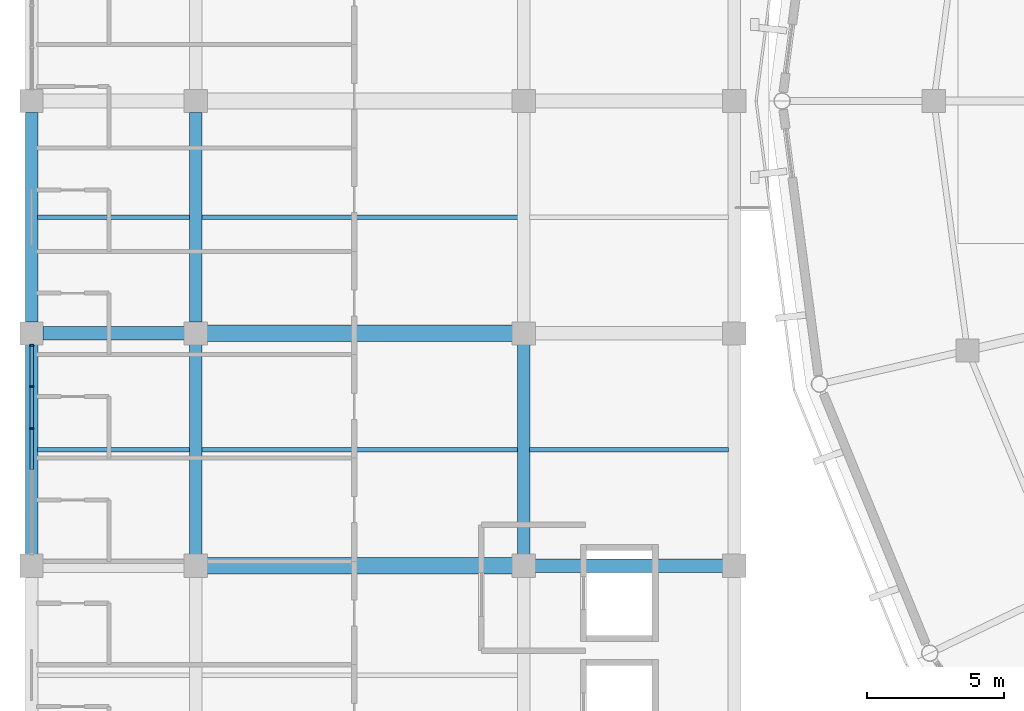
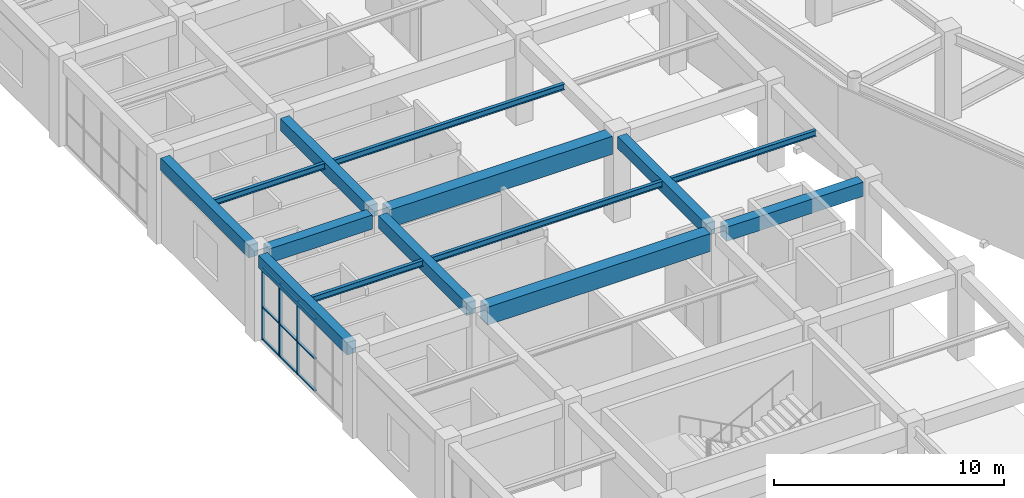
# One storey, part 26 of 122: 14 beams, 12 members, 1 element without a shape of its own.
"""IFC4 building model written with IfcOpenShell, lengths in metres."""

from ifc_helpers import new_model, si_unit, direction, frame, origin, origin_2d, place, context, subcontext, project, spatial, rectangle, i_section, extrude, material, material_profile, profile_set, type_object, element, aggregate, save


model = new_model("IFC4")

# Units and contexts
model_context = context("Model", 3, precision=1e-05, world=origin(), true_north=direction((0.0, 1.0)))
body_context = subcontext(model_context, "Body", "Model", "MODEL_VIEW")
ifc_project = project(units=[si_unit("LENGTHUNIT", "METRE"), si_unit("AREAUNIT", "SQUARE_METRE"), si_unit("VOLUMEUNIT", "CUBIC_METRE"), si_unit("PLANEANGLEUNIT", "RADIAN"), si_unit("MASSUNIT", "GRAM", prefix="KILO")], contexts=[model_context])

# Site, building, storey
site_placement = place(None, origin())
site = spatial("IfcSite", under=ifc_project, at=site_placement, CompositionType="ELEMENT")
building_placement = place(site_placement, origin())
building = spatial("IfcBuilding", under=site, at=building_placement, Name="Cuetzalor Civic Arena", CompositionType="ELEMENT")
storey_placement = place(building_placement, frame((0.0, 0.0, 16.199951171875)))
storey = spatial("IfcBuildingStorey", under=building, at=storey_placement, Name="L03", CompositionType="ELEMENT", Elevation=16.199951171875)

# Beams
ifc_material_1 = material(Name="Concrete C40/50", Category="concrete")
ifc_material_profile_1 = material_profile(ifc_material_1, rectangle(XDim=0.5, YDim=0.75, at=origin_2d()), Name="RC 500x750")
ifc_profile_set_1 = profile_set([ifc_material_profile_1], Name="Concrete C40/50")
beam_type_1 = type_object("IfcBeamType", Name="ConcreteFrameBeam_500x750", PredefinedType="BEAM", material=ifc_profile_set_1)
beam_1_placement = place(storey_placement, frame((-63.5849609375, -17.0, 4.14501953125), z_axis=(1.0, 0.0, 0.0), x_axis=(0.0, 1.0, 0.0)))
element("IfcBeam", 1, at=beam_1_placement, inside=storey, type_object=beam_type_1, Name="Frame Girder V4W-L03-X0897", PredefinedType="BEAM", context=body_context, shape_type="SweptSolid", body=[
    extrude(rectangle(XDim=0.5, YDim=0.75, at=origin_2d()), origin(), (0.0, 0.0, 1.0), 6.869873046875),
])
beam_2_placement = place(storey_placement, frame((-81.5849609375, -8.5, 4.14501953125), z_axis=(1.0, 0.0, 0.0), x_axis=(0.0, 1.0, 0.0)))
element("IfcBeam", 2, at=beam_2_placement, inside=storey, type_object=beam_type_1, Name="Frame Girder V4W-L03-X0898", PredefinedType="BEAM", context=body_context, shape_type="SweptSolid", body=[
    extrude(rectangle(XDim=0.5, YDim=0.75, at=origin_2d()), origin(), (0.0, 0.0, 1.0), 5.169921875),
])
ifc_material_2 = material(Name="Concrete C40/50", Category="concrete")
ifc_material_profile_2 = material_profile(ifc_material_2, rectangle(XDim=0.60009765625, YDim=0.949951171875, at=origin_2d()), Name="RC 600x950")
ifc_profile_set_2 = profile_set([ifc_material_profile_2], Name="Concrete C40/50")
beam_type_2 = type_object("IfcBeamType", Name="ConcreteFrameBeam_600x950", PredefinedType="BEAM", material=ifc_profile_set_2)
for number, where, z_axis, x_axis, name in (
    (3, (-75.5849609375, -17.0, 4.045166015625), (1.0, 0.0, 0.0), (0.0, 1.0, 0.0), "Frame Girder V4W-L03-X0896"),
    (4, (-75.5849609375, -8.5, 4.045166015625), (1.0, 0.0, 0.0), (0.0, 1.0, 0.0), "Frame Girder V4W-L03-X0899"),
):
    element("IfcBeam", number, at=place(storey_placement, frame(where, z_axis=z_axis, x_axis=x_axis)), inside=storey, type_object=beam_type_2, Name=name, PredefinedType="BEAM", context=body_context, shape_type="SweptSolid", body=[
        extrude(rectangle(XDim=0.60009765625, YDim=0.949951171875, at=origin_2d()), origin(), (0.0, 0.0, 1.0), 11.169921875),
    ])
ifc_material_3 = material(Name="Concrete C40/50", Category="concrete")
ifc_material_profile_3 = material_profile(ifc_material_3, rectangle(XDim=0.449951171875, YDim=0.64990234375, at=origin_2d()), Name="RC 450x650")
ifc_profile_set_3 = profile_set([ifc_material_profile_3], Name="Concrete C40/50")
beam_type_3 = type_object("IfcBeamType", Name="ConcreteTieBeam_450x650", PredefinedType="BEAM", material=ifc_profile_set_3)
for number, where, z_axis, x_axis, name in (
    (5, (-82.0, -16.5849609375, 4.195068359375), (0.0, 1.0, 0.0), (-1.0, 0.0, 0.0), "Frame Girder V4W-L03-Y0920"),
    (6, (-82.0, -8.0849609375, 4.195068359375), (0.0, 1.0, 0.0), (-1.0, 0.0, 0.0), "Frame Girder V4W-L03-Y0921"),
    (7, (-76.0, -16.5849609375, 4.195068359375), (0.0, 1.0, 0.0), (-1.0, 0.0, 0.0), "Frame Girder V4W-L03-Y0930"),
    (8, (-76.0, -8.0849609375, 4.195068359375), (0.0, 1.0, 0.0), (-1.0, 0.0, 0.0), "Frame Girder V4W-L03-Y0931"),
    (9, (-64.0, -16.5849609375, 4.195068359375), (0.0, 1.0, 0.0), (-1.0, 0.0, 0.0), "Frame Girder V4W-L03-Y0940"),
):
    element("IfcBeam", number, at=place(storey_placement, frame(where, z_axis=z_axis, x_axis=x_axis)), inside=storey, type_object=beam_type_3, Name=name, PredefinedType="BEAM", context=body_context, shape_type="SweptSolid", body=[
        extrude(rectangle(XDim=0.449951171875, YDim=0.64990234375, at=origin_2d()), origin(), (0.0, 0.0, 1.0), 7.669921875),
    ])

# Curtain wall, members
ifc_material_4 = material(Name="Anodised dark bronze aluminium and low-E solar glass", Category="aluminium")
curtain_wall_type = type_object("IfcCurtainWallType", Name="UnitisedCW_7700x3850", PredefinedType="USERDEFINED", material=ifc_material_4)
curtain_wall_placement = place(storey_placement, origin())
curtain_wall = element("IfcCurtainWall", 10, at=curtain_wall_placement, inside=storey, type_object=curtain_wall_type, Name="V4W Suite Viewing Curtain Wall L03-120", ObjectType="UNITISED CURTAIN WALL", PredefinedType="USERDEFINED")
ifc_material_5 = material(Name="Anodised dark bronze aluminium", Category="aluminium")
ifc_material_profile_4 = material_profile(ifc_material_5, rectangle(XDim=0.06494140625, YDim=0.14990234375, at=origin_2d()), Name="ALU MULLION 65x150")
ifc_profile_set_4 = profile_set([ifc_material_profile_4], Name="Anodised dark bronze aluminium")
member_type_1 = type_object("IfcMemberType", Name="CurtainWallMullion_60x150", PredefinedType="MULLION", material=ifc_profile_set_4)
member_1_placement = place(storey_placement, frame((-82.0, -11.9814453125, 0.0), z_axis=(0.0, 0.0, 1.0), x_axis=(0.0, 1.0, 0.0)))
member_1 = element("IfcMember", 11, at=member_1_placement, type_object=member_type_1, Name="CW-42 mullion 4", PredefinedType="MULLION", context=body_context, shape_type="SweptSolid", body=[
    extrude(rectangle(XDim=0.06494140625, YDim=0.14990234375, at=origin_2d()), origin(), (0.0, 0.0, 1.0), 3.860107421875),
])
member_2_placement = place(storey_placement, frame((-82.0, -10.444091796875, 0.0), z_axis=(0.0, 0.0, 1.0), x_axis=(0.0, 1.0, 0.0)))
member_2 = element("IfcMember", 12, at=member_2_placement, type_object=member_type_1, Name="CW-42 mullion 5", PredefinedType="MULLION", context=body_context, shape_type="SweptSolid", body=[
    extrude(rectangle(XDim=0.06494140625, YDim=0.14990234375, at=origin_2d()), origin(), (0.0, 0.0, 1.0), 3.860107421875),
])
member_3_placement = place(storey_placement, frame((-82.0, -8.939453125, 0.0), z_axis=(0.0, 0.0, 1.0), x_axis=(0.0, 1.0, 0.0)))
member_3 = element("IfcMember", 13, at=member_3_placement, type_object=member_type_1, Name="CW-42 mullion 6", PredefinedType="MULLION", context=body_context, shape_type="SweptSolid", body=[
    extrude(rectangle(XDim=0.06494140625, YDim=0.14990234375, at=origin_2d()), origin(), (0.0, 0.0, 1.0), 3.860107421875),
])
ifc_material_6 = material(Name="Anodised dark bronze aluminium", Category="aluminium")
ifc_material_profile_5 = material_profile(ifc_material_6, rectangle(XDim=0.1201171875, YDim=0.06494140625, at=origin_2d()), Name="ALU TRANSOM 65x120")
ifc_profile_set_5 = profile_set([ifc_material_profile_5], Name="Anodised dark bronze aluminium")
member_type_2 = type_object("IfcMemberType", Name="CurtainWallTransom_60x120", PredefinedType="USERDEFINED", material=ifc_profile_set_5)
member_4_placement = place(storey_placement, frame((-82.0, -13.486083984375, 0.032470703125), z_axis=(0.0, 1.0, 0.0), x_axis=(-1.0, 0.0, 0.0)))
member_4 = element("IfcMember", 14, at=member_4_placement, type_object=member_type_2, Name="CW-42 transom 3.1", ObjectType="TRANSOM", PredefinedType="USERDEFINED", context=body_context, shape_type="SweptSolid", body=[
    extrude(rectangle(XDim=0.1201171875, YDim=0.06494140625, at=origin_2d()), origin(), (0.0, 0.0, 1.0), 1.47216796875),
])
member_5_placement = place(storey_placement, frame((-82.0, -13.486083984375, 1.737060546875), z_axis=(0.0, 1.0, 0.0), x_axis=(-1.0, 0.0, 0.0)))
member_5 = element("IfcMember", 15, at=member_5_placement, type_object=member_type_2, Name="CW-42 transom 3.2", ObjectType="TRANSOM", PredefinedType="USERDEFINED", context=body_context, shape_type="SweptSolid", body=[
    extrude(rectangle(XDim=0.1201171875, YDim=0.06494140625, at=origin_2d()), origin(), (0.0, 0.0, 1.0), 1.47216796875),
])
member_6_placement = place(storey_placement, frame((-82.0, -13.486083984375, 3.82763671875), z_axis=(0.0, 1.0, 0.0), x_axis=(-1.0, 0.0, 0.0)))
member_6 = element("IfcMember", 16, at=member_6_placement, type_object=member_type_2, Name="CW-42 transom 3.3", ObjectType="TRANSOM", PredefinedType="USERDEFINED", context=body_context, shape_type="SweptSolid", body=[
    extrude(rectangle(XDim=0.1201171875, YDim=0.06494140625, at=origin_2d()), origin(), (0.0, 0.0, 1.0), 1.47216796875),
])
member_7_placement = place(storey_placement, frame((-82.0, -11.948974609375, 0.032470703125), z_axis=(0.0, 1.0, 0.0), x_axis=(-1.0, 0.0, 0.0)))
member_7 = element("IfcMember", 17, at=member_7_placement, type_object=member_type_2, Name="CW-42 transom 4.1", ObjectType="TRANSOM", PredefinedType="USERDEFINED", context=body_context, shape_type="SweptSolid", body=[
    extrude(rectangle(XDim=0.1201171875, YDim=0.06494140625, at=origin_2d()), origin(), (0.0, 0.0, 1.0), 1.47216796875),
])
member_8_placement = place(storey_placement, frame((-82.0, -11.948974609375, 1.737060546875), z_axis=(0.0, 1.0, 0.0), x_axis=(-1.0, 0.0, 0.0)))
member_8 = element("IfcMember", 18, at=member_8_placement, type_object=member_type_2, Name="CW-42 transom 4.2", ObjectType="TRANSOM", PredefinedType="USERDEFINED", context=body_context, shape_type="SweptSolid", body=[
    extrude(rectangle(XDim=0.1201171875, YDim=0.06494140625, at=origin_2d()), origin(), (0.0, 0.0, 1.0), 1.47216796875),
])
member_9_placement = place(storey_placement, frame((-82.0, -11.948974609375, 3.82763671875), z_axis=(0.0, 1.0, 0.0), x_axis=(-1.0, 0.0, 0.0)))
member_9 = element("IfcMember", 19, at=member_9_placement, type_object=member_type_2, Name="CW-42 transom 4.3", ObjectType="TRANSOM", PredefinedType="USERDEFINED", context=body_context, shape_type="SweptSolid", body=[
    extrude(rectangle(XDim=0.1201171875, YDim=0.06494140625, at=origin_2d()), origin(), (0.0, 0.0, 1.0), 1.47216796875),
])
member_10_placement = place(storey_placement, frame((-82.0, -10.41162109375, 0.032470703125), z_axis=(0.0, 1.0, 0.0), x_axis=(-1.0, 0.0, 0.0)))
member_10 = element("IfcMember", 20, at=member_10_placement, type_object=member_type_2, Name="CW-42 transom 5.1", ObjectType="TRANSOM", PredefinedType="USERDEFINED", context=body_context, shape_type="SweptSolid", body=[
    extrude(rectangle(XDim=0.1201171875, YDim=0.06494140625, at=origin_2d()), origin(), (0.0, 0.0, 1.0), 1.439697265625),
])
member_11_placement = place(storey_placement, frame((-82.0, -10.41162109375, 1.737060546875), z_axis=(0.0, 1.0, 0.0), x_axis=(-1.0, 0.0, 0.0)))
member_11 = element("IfcMember", 21, at=member_11_placement, type_object=member_type_2, Name="CW-42 transom 5.2", ObjectType="TRANSOM", PredefinedType="USERDEFINED", context=body_context, shape_type="SweptSolid", body=[
    extrude(rectangle(XDim=0.1201171875, YDim=0.06494140625, at=origin_2d()), origin(), (0.0, 0.0, 1.0), 1.439697265625),
])
member_12_placement = place(storey_placement, frame((-82.0, -10.41162109375, 3.82763671875), z_axis=(0.0, 1.0, 0.0), x_axis=(-1.0, 0.0, 0.0)))
member_12 = element("IfcMember", 22, at=member_12_placement, type_object=member_type_2, Name="CW-42 transom 5.3", ObjectType="TRANSOM", PredefinedType="USERDEFINED", context=body_context, shape_type="SweptSolid", body=[
    extrude(rectangle(XDim=0.1201171875, YDim=0.06494140625, at=origin_2d()), origin(), (0.0, 0.0, 1.0), 1.439697265625),
])
aggregate(curtain_wall, [member_1, member_2, member_3, member_4, member_5, member_6, member_7, member_8, member_9, member_10, member_11, member_12])

# Beams
ifc_material_7 = material(Name="Steel S355", Category="steel")
ifc_material_profile_6 = material_profile(ifc_material_7, i_section(OverallWidth=0.166015625, OverallDepth=0.31298828125, WebThickness=0.006591796875, FlangeThickness=0.01123046875, at=origin_2d()), Name="W310x45")
ifc_profile_set_6 = profile_set([ifc_material_profile_6], Name="Steel S355")
beam_type_4 = type_object("IfcBeamType", Name="SecondaryRoofJoist_W310", PredefinedType="JOIST", material=ifc_profile_set_6)
for number, where, z_axis, x_axis, name in (
    (23, (-81.782958984375, -12.75, 4.363525390625), (1.0, 0.0, 0.0), (0.0, 1.0, 0.0), "Secondary Floor Joist V4W-L03-0271"),
    (24, (-81.782958984375, -4.25, 4.363525390625), (1.0, 0.0, 0.0), (0.0, 1.0, 0.0), "Secondary Floor Joist V4W-L03-0272"),
):
    element("IfcBeam", number, at=place(storey_placement, frame(where, z_axis=z_axis, x_axis=x_axis)), inside=storey, type_object=beam_type_4, Name=name, PredefinedType="JOIST", context=body_context, shape_type="SweptSolid", body=[
        extrude(i_section(OverallWidth=0.166015625, OverallDepth=0.31298828125, WebThickness=0.006591796875, FlangeThickness=0.01123046875, at=origin_2d()), origin(), (0.0, 0.0, 1.0), 5.56591796875),
    ])
for number, where, z_axis, x_axis, name in (
    (25, (-75.782958984375, -12.75, 4.363525390625), (1.0, 0.0, 0.0), (0.0, 1.0, 0.0), "Secondary Floor Joist V4W-L03-0279"),
    (26, (-75.782958984375, -4.25, 4.363525390625), (1.0, 0.0, 0.0), (0.0, 1.0, 0.0), "Secondary Floor Joist V4W-L03-0280"),
):
    element("IfcBeam", number, at=place(storey_placement, frame(where, z_axis=z_axis, x_axis=x_axis)), inside=storey, type_object=beam_type_4, Name=name, PredefinedType="JOIST", context=body_context, shape_type="SweptSolid", body=[
        extrude(i_section(OverallWidth=0.166015625, OverallDepth=0.31298828125, WebThickness=0.006591796875, FlangeThickness=0.01123046875, at=origin_2d()), origin(), (0.0, 0.0, 1.0), 11.56591796875),
    ])
beam_3_placement = place(storey_placement, frame((-63.782958984375, -12.75, 4.363525390625), z_axis=(1.0, 0.0, 0.0), x_axis=(0.0, 1.0, 0.0)))
element("IfcBeam", 27, at=beam_3_placement, inside=storey, type_object=beam_type_4, Name="Secondary Floor Joist V4W-L03-0287", PredefinedType="JOIST", context=body_context, shape_type="SweptSolid", body=[
    extrude(i_section(OverallWidth=0.166015625, OverallDepth=0.31298828125, WebThickness=0.006591796875, FlangeThickness=0.01123046875, at=origin_2d()), origin(), (0.0, 0.0, 1.0), 7.265869140625),
])

save(model, "model.ifc")
